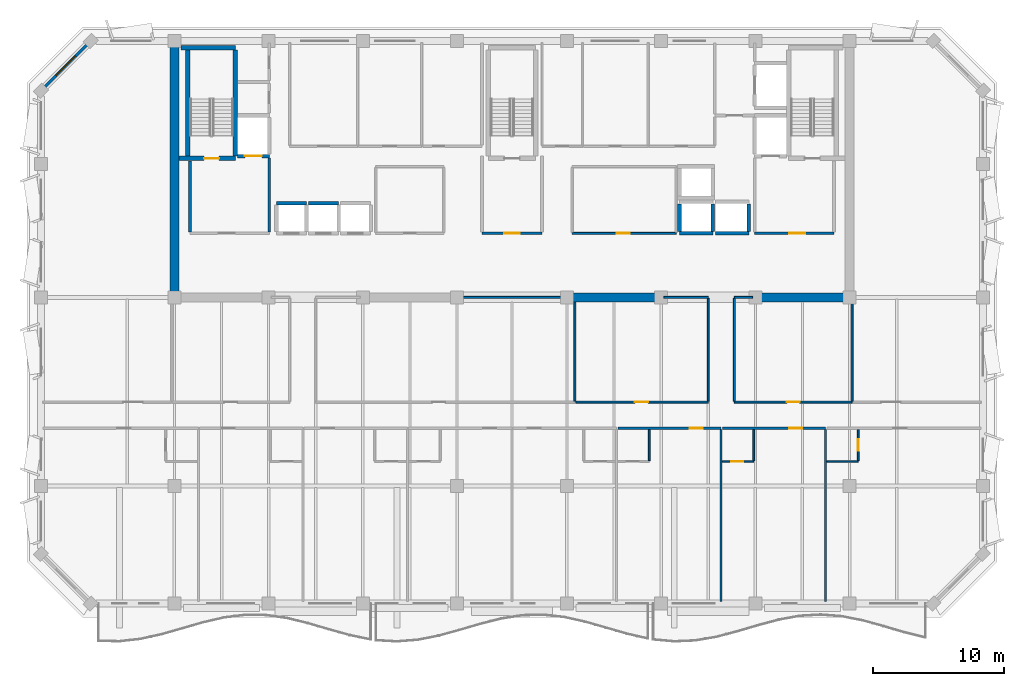
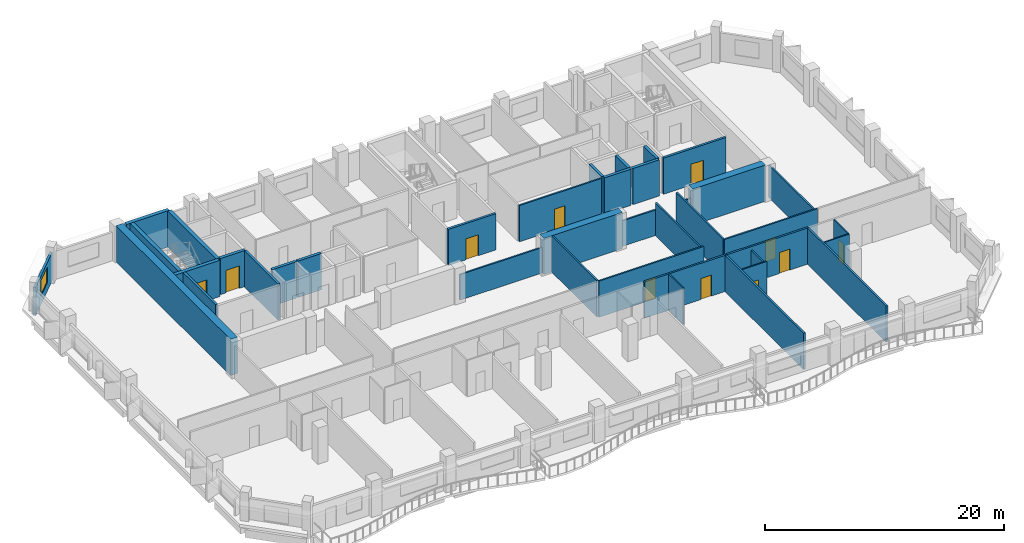
# One storey, part 5 of 11: 39 walls, 11 doors, 1 window, 12 openings.
"""IFC4 building model written with IfcOpenShell, lengths in metres."""

from ifc_helpers import new_model, si_unit, direction, frame, frame_2d, origin, place, context, subcontext, project, spatial, rectangle, extrude, material, layer, layer_set, type_object, element, fill, save


model = new_model("IFC4")

# Units and contexts
model_context = context("Model", 3, precision=1e-05, world=origin(), true_north=direction((0.0, 1.0)))
body_context = subcontext(model_context, "Body", "Model", "MODEL_VIEW")
ifc_project = project(units=[si_unit("LENGTHUNIT", "METRE"), si_unit("AREAUNIT", "SQUARE_METRE"), si_unit("VOLUMEUNIT", "CUBIC_METRE"), si_unit("PLANEANGLEUNIT", "RADIAN"), si_unit("MASSUNIT", "GRAM", prefix="KILO")], contexts=[model_context])

# Site, building, storey
site_placement = place(None, origin())
site = spatial("IfcSite", under=ifc_project, at=site_placement, CompositionType="ELEMENT")
building_placement = place(site_placement, origin())
building = spatial("IfcBuilding", under=site, at=building_placement, Name="Kaelvorn Grand Hotel", CompositionType="ELEMENT")
storey_placement = place(building_placement, frame((0.0, 0.0, 248.89990234375)))
storey = spatial("IfcBuildingStorey", under=building, at=storey_placement, Name="L61", CompositionType="ELEMENT", Elevation=248.89990234375)

# Walls
ifc_material_1 = material(Name="Concrete C50/60", Category="concrete")
ifc_layer_1 = layer(ifc_material_1, 0.699951171875)
ifc_layer_set_1 = layer_set([ifc_layer_1], Name="Concrete C50/60")
wall_type_1 = type_object("IfcWallType", Name="WL-CORE-700-C50", PredefinedType="SHEAR", material=ifc_layer_set_1)
wall_1_placement = place(storey_placement, frame((16.199951171875, 29.39990234375, 0.0), z_axis=(0.0, 0.0, 1.0), x_axis=(0.0, 1.0, 0.0)))
element("IfcWall", 1, at=wall_1_placement, inside=storey, type_object=wall_type_1, Name="L61 Rear-Core West Shear Wall", PredefinedType="SHEAR", context=body_context, shape_type="SweptSolid", body=[
    extrude(rectangle(XDim=19.2001953125, YDim=0.699951171875, at=frame_2d((9.60009765625, 0.0))), origin(), (0.0, 0.0, 1.0), 3.710205078125),
])
wall_2_placement = place(storey_placement, frame((46.0, 29.39990234375, 0.0), z_axis=(0.0, 0.0, 1.0), x_axis=(1.0, 0.0, 0.0)))
element("IfcWall", 2, at=wall_2_placement, inside=storey, type_object=wall_type_1, Name="L61 Rear-Core Coupled Shear Pier S3", PredefinedType="SHEAR", context=body_context, shape_type="SweptSolid", body=[
    extrude(rectangle(XDim=7.60009765625, YDim=0.699951171875, at=frame_2d((3.800048828125, 0.0))), origin(), (0.0, 0.0, 1.0), 3.710205078125),
])
wall_3_placement = place(storey_placement, frame((60.39990234375, 29.39990234375, 0.0), z_axis=(0.0, 0.0, 1.0), x_axis=(1.0, 0.0, 0.0)))
element("IfcWall", 3, at=wall_3_placement, inside=storey, type_object=wall_type_1, Name="L61 Rear-Core Coupled Shear Pier S4", PredefinedType="SHEAR", context=body_context, shape_type="SweptSolid", body=[
    extrude(rectangle(XDim=7.045166015625, YDim=0.699951171875, at=frame_2d((3.5224609375, 0.0))), origin(), (0.0, 0.0, 1.0), 3.710205078125),
])

# Wall, opening, window
ifc_material_2 = material(Name="Concrete C40/50", Category="concrete")
ifc_layer_2 = layer(ifc_material_2, 0.219970703125)
ifc_layer_set_2 = layer_set([ifc_layer_2], Name="Concrete C40/50")
wall_type_2 = type_object("IfcWallType", Name="WL-EXT-220-C40", PredefinedType="SOLIDWALL", material=ifc_layer_set_2)
wall_4_placement = place(storey_placement, frame((9.800048828125, 49.0, 0.0), z_axis=(0.0, 0.0, 1.0), x_axis=(-0.707106781187, -0.707106781187, 0.0)))
wall_4 = element("IfcWall", 4, at=wall_4_placement, inside=storey, type_object=wall_type_2, Name="L61 Exterior Architectural Concrete Wall 06", PredefinedType="SOLIDWALL", context=body_context, shape_type="SweptSolid", body=[
    extrude(rectangle(XDim=5.3740234375, YDim=0.219970703125, at=frame_2d((2.68701171875, 0.0))), origin(), (0.0, 0.0, 1.0), 2.91015625),
])
opening_1_placement = place(wall_4_placement, frame((1.636962890625, 0.0, 0.85009765625)))
opening_1 = element("IfcOpeningElement", 5, at=opening_1_placement, cuts=wall_4, Name="Opening W7", PredefinedType="OPENING", context=body_context, shape_type="SweptSolid", body=[
    extrude(rectangle(XDim=2.10009765625, YDim=1.60009765625, at=frame_2d((1.050048828125, 0.800048828125))), frame((0.0, 0.1201171875, 0.0), z_axis=(0.0, -1.0, 0.0), x_axis=(1.0, 0.0, 0.0)), (0.0, 0.0, 1.0), 0.239990234375),
])
ifc_material_3 = material(Name="Laminated Low-E Glass", Category="glass")
window_type = type_object("IfcWindowType", Name="WIN-CHM-2100x1600", PartitioningType="SINGLE_PANEL", PredefinedType="WINDOW", material=ifc_material_3)
window_placement = place(opening_1_placement, origin())
window = element("IfcWindow", 6, at=window_placement, inside=storey, type_object=window_type, Name="L61 Chamfered 45-Degree Corner Window NW", OverallHeight=1.60009765625, OverallWidth=2.10009765625, PartitioningType="SINGLE_PANEL", PredefinedType="WINDOW", context=body_context, shape_type="SweptSolid", body=[
    extrude(rectangle(XDim=2.10009765625, YDim=1.60009765625, at=frame_2d((1.050048828125, 0.800048828125))), frame((0.0, 0.030029296875, 0.0), z_axis=(0.0, -1.0, 0.0), x_axis=(1.0, 0.0, 0.0)), (0.0, 0.0, 1.0), 0.06005859375),
])
fill(opening_1, window)

# Wall
ifc_material_4 = material(Name="Moisture-Resistant Tile & Stud Board")
ifc_layer_3 = layer(ifc_material_4, 0.125)
ifc_layer_set_3 = layer_set([ifc_layer_3], Name="Moisture-Resistant Tile & Stud Board")
wall_type_3 = type_object("IfcWallType", Name="WL-PART-125-WET", PredefinedType="PARTITIONING", material=ifc_layer_set_3)
wall_5_placement = place(storey_placement, frame((52.487548828125, 16.91748046875, 0.0), z_axis=(0.0, 0.0, 1.0), x_axis=(0.0, 1.0, 0.0)))
element("IfcWall", 7, at=wall_5_placement, inside=storey, type_object=wall_type_3, Name="L61 En-suite Bathroom L61-06 E Partition", PredefinedType="PARTITIONING", context=body_context, shape_type="SweptSolid", body=[
    extrude(rectangle(XDim=2.387451171875, YDim=0.125, at=frame_2d((1.19384765625, 0.0))), origin(), (0.0, 0.0, 1.0), 3.710205078125),
])

# Wall, opening, door
wall_6_placement = place(storey_placement, frame((58.070068359375, 16.85009765625, 0.0), z_axis=(0.0, 0.0, 1.0), x_axis=(1.0, 0.0, 0.0)))
wall_6 = element("IfcWall", 8, at=wall_6_placement, inside=storey, type_object=wall_type_3, Name="L61 En-suite Bathroom L61-07 S Partition", PredefinedType="PARTITIONING", context=body_context, shape_type="SweptSolid", body=[
    extrude(rectangle(XDim=2.405029296875, YDim=0.125, at=frame_2d((1.20263671875, 0.0))), origin(), (0.0, 0.0, 1.0), 3.710205078125),
])
opening_2_placement = place(wall_6_placement, frame((0.705078125, 0.0, 0.0)))
opening_2 = element("IfcOpeningElement", 9, at=opening_2_placement, cuts=wall_6, Name="Opening DI4", PredefinedType="OPENING", context=body_context, shape_type="SweptSolid", body=[
    extrude(rectangle(XDim=0.89990234375, YDim=2.10009765625, at=frame_2d((0.449951171875, 1.050048828125))), frame((0.0, 0.072509765625, 0.0), z_axis=(0.0, -1.0, 0.0), x_axis=(1.0, 0.0, 0.0)), (0.0, 0.0, 1.0), 0.14501953125),
])
ifc_material_5 = material(Name="Timber Veneer Leaf", Category="wood")
door_type_1 = type_object("IfcDoorType", Name="DR-INT-BATH-900x2100", OperationType="NOTDEFINED", PredefinedType="DOOR", material=ifc_material_5)
door_1_placement = place(opening_2_placement, origin())
door_1 = element("IfcDoor", 10, at=door_1_placement, inside=storey, type_object=door_type_1, Name="L61 En-suite Bathroom L61-07 Door", OperationType="SINGLE_SWING_LEFT", OverallHeight=2.10009765625, OverallWidth=0.89990234375, PredefinedType="DOOR", context=body_context, shape_type="SweptSolid", body=[
    extrude(rectangle(XDim=0.89990234375, YDim=2.10009765625, at=frame_2d((0.449951171875, 1.050048828125))), frame((0.0, 0.02490234375, 0.0), z_axis=(0.0, -1.0, 0.0), x_axis=(1.0, 0.0, 0.0)), (0.0, 0.0, 1.0), 0.050048828125),
])
fill(opening_2, door_1)

# Walls
wall_7_placement = place(storey_placement, frame((60.47509765625, 16.91748046875, 0.0), z_axis=(0.0, 0.0, 1.0), x_axis=(0.0, 1.0, 0.0)))
element("IfcWall", 11, at=wall_7_placement, inside=storey, type_object=wall_type_3, Name="L61 En-suite Bathroom L61-07 E Partition", PredefinedType="PARTITIONING", context=body_context, shape_type="SweptSolid", body=[
    extrude(rectangle(XDim=2.387451171875, YDim=0.125, at=frame_2d((1.19384765625, 0.0))), origin(), (0.0, 0.0, 1.0), 3.35009765625),
])
wall_8_placement = place(storey_placement, frame((66.0576171875, 16.85009765625, 0.0), z_axis=(0.0, 0.0, 1.0), x_axis=(1.0, 0.0, 0.0)))
element("IfcWall", 12, at=wall_8_placement, inside=storey, type_object=wall_type_3, Name="L61 En-suite Bathroom L61-08 S Partition", PredefinedType="PARTITIONING", context=body_context, shape_type="SweptSolid", body=[
    extrude(rectangle(XDim=2.40478515625, YDim=0.125, at=frame_2d((1.202392578125, 0.0))), origin(), (0.0, 0.0, 1.0), 3.710205078125),
])

# Wall, opening, door
wall_9_placement = place(storey_placement, frame((68.46240234375, 16.91748046875, 0.0), z_axis=(0.0, 0.0, 1.0), x_axis=(0.0, 1.0, 0.0)))
wall_9 = element("IfcWall", 13, at=wall_9_placement, inside=storey, type_object=wall_type_3, Name="L61 En-suite Bathroom L61-08 E Partition", PredefinedType="PARTITIONING", context=body_context, shape_type="SweptSolid", body=[
    extrude(rectangle(XDim=2.387451171875, YDim=0.125, at=frame_2d((1.19384765625, 0.0))), origin(), (0.0, 0.0, 1.0), 3.710205078125),
])
opening_3_placement = place(wall_9_placement, frame((0.757568359375, 0.0, 0.0)))
opening_3 = element("IfcOpeningElement", 14, at=opening_3_placement, cuts=wall_9, Name="Opening DI4", PredefinedType="OPENING", context=body_context, shape_type="SweptSolid", body=[
    extrude(rectangle(XDim=0.89990234375, YDim=2.10009765625, at=frame_2d((0.449951171875, 1.050048828125))), frame((0.0, 0.072509765625, 0.0), z_axis=(0.0, -1.0, 0.0), x_axis=(1.0, 0.0, 0.0)), (0.0, 0.0, 1.0), 0.14501953125),
])
door_2_placement = place(opening_3_placement, origin())
door_2 = element("IfcDoor", 15, at=door_2_placement, inside=storey, type_object=door_type_1, Name="L61 En-suite Bathroom L61-08 Door", OperationType="SINGLE_SWING_LEFT", OverallHeight=2.10009765625, OverallWidth=0.89990234375, PredefinedType="DOOR", context=body_context, shape_type="SweptSolid", body=[
    extrude(rectangle(XDim=0.89990234375, YDim=2.10009765625, at=frame_2d((0.449951171875, 1.050048828125))), frame((0.0, 0.02490234375, 0.0), z_axis=(0.0, -1.0, 0.0), x_axis=(1.0, 0.0, 0.0)), (0.0, 0.0, 1.0), 0.050048828125),
])
fill(opening_3, door_2)

ifc_material_6 = material(Name="Acoustic Gypsum & Stud Partition")
ifc_layer_4 = layer(ifc_material_6, 0.14990234375)
ifc_layer_set_4 = layer_set([ifc_layer_4], Name="Acoustic Gypsum & Stud Partition")
wall_type_4 = type_object("IfcWallType", Name="WL-PART-150-EI60", PredefinedType="PARTITIONING", material=ifc_layer_set_4)
wall_10_placement = place(storey_placement, frame((46.60009765625, 34.300048828125, 0.0), z_axis=(0.0, 0.0, 1.0), x_axis=(1.0, 0.0, 0.0)))
wall_10 = element("IfcWall", 16, at=wall_10_placement, inside=storey, type_object=wall_type_4, Name="L61 Sky Concierge & Butler Pantry Lounge S Partition", PredefinedType="PARTITIONING", context=body_context, shape_type="SweptSolid", body=[
    extrude(rectangle(XDim=7.949951171875, YDim=0.14990234375, at=frame_2d((3.97509765625, 0.0))), origin(), (0.0, 0.0, 1.0), 3.710205078125),
])
opening_4_placement = place(wall_10_placement, frame((3.39990234375, 0.0, 0.0)))
opening_4 = element("IfcOpeningElement", 17, at=opening_4_placement, cuts=wall_10, Name="Opening DI3", PredefinedType="OPENING", context=body_context, shape_type="SweptSolid", body=[
    extrude(rectangle(XDim=1.0, YDim=2.14990234375, at=frame_2d((0.5, 1.074951171875))), frame((0.0, 0.0849609375, 0.0), z_axis=(0.0, -1.0, 0.0), x_axis=(1.0, 0.0, 0.0)), (0.0, 0.0, 1.0), 0.169921875),
])
ifc_material_7 = material(Name="Timber Veneer Fire Leaf", Category="wood")
door_type_2 = type_object("IfcDoorType", Name="DR-INT-GUEST-1000x2150", OperationType="NOTDEFINED", PredefinedType="DOOR", material=ifc_material_7)
door_3_placement = place(opening_4_placement, origin())
door_3 = element("IfcDoor", 18, at=door_3_placement, inside=storey, type_object=door_type_2, Name="L61 Sky Concierge & Butler Pantry Lounge Door", OperationType="SINGLE_SWING_LEFT", OverallHeight=2.14990234375, OverallWidth=1.0, PredefinedType="DOOR", context=body_context, shape_type="SweptSolid", body=[
    extrude(rectangle(XDim=1.0, YDim=2.14990234375, at=frame_2d((0.5, 1.074951171875))), frame((0.0, 0.02490234375, 0.0), z_axis=(0.0, -1.0, 0.0), x_axis=(1.0, 0.0, 0.0)), (0.0, 0.0, 1.0), 0.050048828125),
])
fill(opening_4, door_3)

# Walls
wall_11_placement = place(storey_placement, frame((38.010009765625, 29.39990234375, 0.0), z_axis=(0.0, 0.0, 1.0), x_axis=(1.0, 0.0, 0.0)))
element("IfcWall", 19, at=wall_11_placement, inside=storey, type_object=wall_type_4, Name="L61 Hospitality Tea Kitchen N Partition (2)", PredefinedType="PARTITIONING", context=body_context, shape_type="SweptSolid", body=[
    extrude(rectangle(XDim=7.97998046875, YDim=0.14990234375, at=frame_2d((3.989990234375, 0.0))), origin(), (0.0, 0.0, 1.0), 2.610107421875),
])
wall_12_placement = place(storey_placement, frame((46.800048828125, 21.47998046875, 0.0), z_axis=(0.0, 0.0, 1.0), x_axis=(0.0, 1.0, 0.0)))
element("IfcWall", 20, at=wall_12_placement, inside=storey, type_object=wall_type_4, Name="L61 Hospitality Tea Kitchen E Partition", PredefinedType="PARTITIONING", context=body_context, shape_type="SweptSolid", body=[
    extrude(rectangle(XDim=7.56494140625, YDim=0.14990234375, at=frame_2d((3.782470703125, 0.0))), origin(), (0.0, 0.0, 1.0), 3.710205078125),
])

# Wall, opening, door
wall_13_placement = place(storey_placement, frame((46.8798828125, 21.39990234375, 0.0), z_axis=(0.0, 0.0, 1.0), x_axis=(1.0, 0.0, 0.0)))
wall_13 = element("IfcWall", 21, at=wall_13_placement, inside=storey, type_object=wall_type_4, Name="L61 Executive Study Office S Partition", PredefinedType="PARTITIONING", context=body_context, shape_type="SweptSolid", body=[
    extrude(rectangle(XDim=10.1201171875, YDim=0.14990234375, at=frame_2d((5.06005859375, 0.0))), origin(), (0.0, 0.0, 1.0), 3.710205078125),
])
opening_5_placement = place(wall_13_placement, frame((4.52001953125, 0.0, 0.0)))
opening_5 = element("IfcOpeningElement", 22, at=opening_5_placement, cuts=wall_13, Name="Opening DI3", PredefinedType="OPENING", context=body_context, shape_type="SweptSolid", body=[
    extrude(rectangle(XDim=1.0, YDim=2.14990234375, at=frame_2d((0.5, 1.074951171875))), frame((0.0, 0.0849609375, 0.0), z_axis=(0.0, -1.0, 0.0), x_axis=(1.0, 0.0, 0.0)), (0.0, 0.0, 1.0), 0.169921875),
])
door_4_placement = place(opening_5_placement, origin())
door_4 = element("IfcDoor", 23, at=door_4_placement, inside=storey, type_object=door_type_2, Name="L61 Executive Study Office Door", OperationType="SINGLE_SWING_RIGHT", OverallHeight=2.14990234375, OverallWidth=1.0, PredefinedType="DOOR", context=body_context, shape_type="SweptSolid", body=[
    extrude(rectangle(XDim=1.0, YDim=2.14990234375, at=frame_2d((0.5, 1.074951171875))), frame((0.0, 0.02490234375, 0.0), z_axis=(0.0, -1.0, 0.0), x_axis=(1.0, 0.0, 0.0)), (0.0, 0.0, 1.0), 0.050048828125),
])
fill(opening_5, door_4)

# Walls
wall_14_placement = place(storey_placement, frame((53.610107421875, 29.39990234375, 0.0), z_axis=(0.0, 0.0, 1.0), x_axis=(1.0, 0.0, 0.0)))
element("IfcWall", 24, at=wall_14_placement, inside=storey, type_object=wall_type_4, Name="L61 Executive Study Office N Partition", PredefinedType="PARTITIONING", context=body_context, shape_type="SweptSolid", body=[
    extrude(rectangle(XDim=3.389892578125, YDim=0.14990234375, at=frame_2d((1.69482421875, 0.0))), origin(), (0.0, 0.0, 1.0), 2.610107421875),
])
wall_15_placement = place(storey_placement, frame((57.0, 21.47998046875, 0.0), z_axis=(0.0, 0.0, 1.0), x_axis=(0.0, 1.0, 0.0)))
element("IfcWall", 25, at=wall_15_placement, inside=storey, type_object=wall_type_4, Name="L61 Executive Study Office E Partition", PredefinedType="PARTITIONING", context=body_context, shape_type="SweptSolid", body=[
    extrude(rectangle(XDim=7.840087890625, YDim=0.14990234375, at=frame_2d((3.919921875, 0.0))), origin(), (0.0, 0.0, 1.0), 3.35009765625),
])

# Wall, opening, door
wall_16_placement = place(storey_placement, frame((59.0, 21.39990234375, 0.0), z_axis=(0.0, 0.0, 1.0), x_axis=(1.0, 0.0, 0.0)))
wall_16 = element("IfcWall", 26, at=wall_16_placement, inside=storey, type_object=wall_type_4, Name="L61 Wellness Fitness Gym S Partition", PredefinedType="PARTITIONING", context=body_context, shape_type="SweptSolid", body=[
    extrude(rectangle(XDim=9.0, YDim=0.14990234375, at=frame_2d((4.5, 0.0))), origin(), (0.0, 0.0, 1.0), 3.710205078125),
])
opening_6_placement = place(wall_16_placement, frame((4.0, 0.0, 0.0)))
opening_6 = element("IfcOpeningElement", 27, at=opening_6_placement, cuts=wall_16, Name="Opening DI3", PredefinedType="OPENING", context=body_context, shape_type="SweptSolid", body=[
    extrude(rectangle(XDim=1.0, YDim=2.14990234375, at=frame_2d((0.5, 1.074951171875))), frame((0.0, 0.0849609375, 0.0), z_axis=(0.0, -1.0, 0.0), x_axis=(1.0, 0.0, 0.0)), (0.0, 0.0, 1.0), 0.169921875),
])
door_5_placement = place(opening_6_placement, origin())
door_5 = element("IfcDoor", 28, at=door_5_placement, inside=storey, type_object=door_type_2, Name="L61 Wellness Fitness Gym Door", OperationType="SINGLE_SWING_LEFT", OverallHeight=2.14990234375, OverallWidth=1.0, PredefinedType="DOOR", context=body_context, shape_type="SweptSolid", body=[
    extrude(rectangle(XDim=1.0, YDim=2.14990234375, at=frame_2d((0.5, 1.074951171875))), frame((0.0, 0.02490234375, 0.0), z_axis=(0.0, -1.0, 0.0), x_axis=(1.0, 0.0, 0.0)), (0.0, 0.0, 1.0), 0.050048828125),
])
fill(opening_6, door_5)

# Walls
wall_17_placement = place(storey_placement, frame((59.0, 29.39990234375, 0.0), z_axis=(0.0, 0.0, 1.0), x_axis=(1.0, 0.0, 0.0)))
element("IfcWall", 29, at=wall_17_placement, inside=storey, type_object=wall_type_4, Name="L61 Wellness Fitness Gym N Partition", PredefinedType="PARTITIONING", context=body_context, shape_type="SweptSolid", body=[
    extrude(rectangle(XDim=1.389892578125, YDim=0.14990234375, at=frame_2d((0.69482421875, 0.0))), origin(), (0.0, 0.0, 1.0), 2.610107421875),
])
wall_18_placement = place(storey_placement, frame((59.0, 21.47998046875, 0.0), z_axis=(0.0, 0.0, 1.0), x_axis=(0.0, 1.0, 0.0)))
element("IfcWall", 30, at=wall_18_placement, inside=storey, type_object=wall_type_4, Name="L61 Wellness Fitness Gym W Partition", PredefinedType="PARTITIONING", context=body_context, shape_type="SweptSolid", body=[
    extrude(rectangle(XDim=7.840087890625, YDim=0.14990234375, at=frame_2d((3.919921875, 0.0))), origin(), (0.0, 0.0, 1.0), 3.710205078125),
])
wall_19_placement = place(storey_placement, frame((68.0, 21.47998046875, 0.0), z_axis=(0.0, 0.0, 1.0), x_axis=(0.0, 1.0, 0.0)))
element("IfcWall", 31, at=wall_19_placement, inside=storey, type_object=wall_type_4, Name="L61 Wellness Fitness Gym E Partition", PredefinedType="PARTITIONING", context=body_context, shape_type="SweptSolid", body=[
    extrude(rectangle(XDim=7.909912109375, YDim=0.14990234375, at=frame_2d((3.955078125, 0.0))), origin(), (0.0, 0.0, 1.0), 3.35009765625),
])

# Wall, opening, door
ifc_layer_5 = layer(ifc_material_6, 0.179931640625)
ifc_layer_set_5 = layer_set([ifc_layer_5], Name="Acoustic Gypsum & Stud Partition")
wall_type_5 = type_object("IfcWallType", Name="WL-PART-180-EI60", PredefinedType="PARTITIONING", material=ifc_layer_set_5)
wall_20_placement = place(storey_placement, frame((50.08251953125, 19.39990234375, 0.0), z_axis=(0.0, 0.0, 1.0), x_axis=(1.0, 0.0, 0.0)))
wall_20 = element("IfcWall", 32, at=wall_20_placement, inside=storey, type_object=wall_type_5, Name="L61 Ambassador Junior Suite L61-06 N Partition", PredefinedType="PARTITIONING", context=body_context, shape_type="SweptSolid", body=[
    extrude(rectangle(XDim=7.892578125, YDim=0.179931640625, at=frame_2d((3.9462890625, 0.0))), origin(), (0.0, 0.0, 1.0), 3.710205078125),
])
opening_7_placement = place(wall_20_placement, frame((5.4951171875, 0.0, 0.0)))
opening_7 = element("IfcOpeningElement", 33, at=opening_7_placement, cuts=wall_20, Name="Opening DI3", PredefinedType="OPENING", context=body_context, shape_type="SweptSolid", body=[
    extrude(rectangle(XDim=1.0, YDim=2.14990234375, at=frame_2d((0.5, 1.074951171875))), frame((0.0, 0.10009765625, 0.0), z_axis=(0.0, -1.0, 0.0), x_axis=(1.0, 0.0, 0.0)), (0.0, 0.0, 1.0), 0.199951171875),
])
door_6_placement = place(opening_7_placement, origin())
door_6 = element("IfcDoor", 34, at=door_6_placement, inside=storey, type_object=door_type_2, Name="L61 Ambassador Junior Suite L61-06 Door", OperationType="SINGLE_SWING_RIGHT", OverallHeight=2.14990234375, OverallWidth=1.0, PredefinedType="DOOR", context=body_context, shape_type="SweptSolid", body=[
    extrude(rectangle(XDim=1.0, YDim=2.14990234375, at=frame_2d((0.5, 1.074951171875))), frame((0.0, 0.02490234375, 0.0), z_axis=(0.0, -1.0, 0.0), x_axis=(1.0, 0.0, 0.0)), (0.0, 0.0, 1.0), 0.050048828125),
])
fill(opening_7, door_6)

# Wall
wall_21_placement = place(storey_placement, frame((57.97509765625, 6.14990234375, 0.0), z_axis=(0.0, 0.0, 1.0), x_axis=(0.0, 1.0, 0.0)))
element("IfcWall", 35, at=wall_21_placement, inside=storey, type_object=wall_type_5, Name="L61 Ambassador Junior Suite L61-06 E Partition", PredefinedType="PARTITIONING", context=body_context, shape_type="SweptSolid", body=[
    extrude(rectangle(XDim=13.155029296875, YDim=0.179931640625, at=frame_2d((6.57763671875, 0.0))), origin(), (0.0, 0.0, 1.0), 3.710205078125),
])

# Wall, opening, door
wall_22_placement = place(storey_placement, frame((58.070068359375, 19.39990234375, 0.0), z_axis=(0.0, 0.0, 1.0), x_axis=(1.0, 0.0, 0.0)))
wall_22 = element("IfcWall", 36, at=wall_22_placement, inside=storey, type_object=wall_type_5, Name="L61 Ambassador Sky Suite L61-07 N Partition", PredefinedType="PARTITIONING", context=body_context, shape_type="SweptSolid", body=[
    extrude(rectangle(XDim=7.892333984375, YDim=0.179931640625, at=frame_2d((3.9462890625, 0.0))), origin(), (0.0, 0.0, 1.0), 3.710205078125),
])
opening_8_placement = place(wall_22_placement, frame((5.101318359375, 0.0, 0.0)))
opening_8 = element("IfcOpeningElement", 37, at=opening_8_placement, cuts=wall_22, Name="Opening DI3", PredefinedType="OPENING", context=body_context, shape_type="SweptSolid", body=[
    extrude(rectangle(XDim=1.0, YDim=2.14990234375, at=frame_2d((0.5, 1.074951171875))), frame((0.0, 0.10009765625, 0.0), z_axis=(0.0, -1.0, 0.0), x_axis=(1.0, 0.0, 0.0)), (0.0, 0.0, 1.0), 0.199951171875),
])
door_7_placement = place(opening_8_placement, origin())
door_7 = element("IfcDoor", 38, at=door_7_placement, inside=storey, type_object=door_type_2, Name="L61 Ambassador Sky Suite L61-07 Door", OperationType="SINGLE_SWING_RIGHT", OverallHeight=2.14990234375, OverallWidth=1.0, PredefinedType="DOOR", context=body_context, shape_type="SweptSolid", body=[
    extrude(rectangle(XDim=1.0, YDim=2.14990234375, at=frame_2d((0.5, 1.074951171875))), frame((0.0, 0.02490234375, 0.0), z_axis=(0.0, -1.0, 0.0), x_axis=(1.0, 0.0, 0.0)), (0.0, 0.0, 1.0), 0.050048828125),
])
fill(opening_8, door_7)

# Walls
wall_23_placement = place(storey_placement, frame((65.96240234375, 6.14990234375, 0.0), z_axis=(0.0, 0.0, 1.0), x_axis=(0.0, 1.0, 0.0)))
element("IfcWall", 39, at=wall_23_placement, inside=storey, type_object=wall_type_5, Name="L61 Ambassador Sky Suite L61-07 E Partition", PredefinedType="PARTITIONING", context=body_context, shape_type="SweptSolid", body=[
    extrude(rectangle(XDim=13.155029296875, YDim=0.179931640625, at=frame_2d((6.57763671875, 0.0))), origin(), (0.0, 0.0, 1.0), 3.710205078125),
])
ifc_layer_6 = layer(ifc_material_2, 0.219970703125)
ifc_layer_set_6 = layer_set([ifc_layer_6], Name="Concrete C40/50")
wall_type_6 = type_object("IfcWallType", Name="WL-PART-220-EI120", PredefinedType="PARTITIONING", material=ifc_layer_set_6)
wall_24_placement = place(storey_placement, frame((17.39990234375, 34.4150390625, 0.0), z_axis=(0.0, 0.0, 1.0), x_axis=(0.0, 1.0, 0.0)))
element("IfcWall", 40, at=wall_24_placement, inside=storey, type_object=wall_type_6, Name="L61 Firefighting Lift Lobby 1 W Partition", PredefinedType="PARTITIONING", context=body_context, shape_type="SweptSolid", body=[
    extrude(rectangle(XDim=5.429931640625, YDim=0.219970703125, at=frame_2d((2.71484375, 0.0))), origin(), (0.0, 0.0, 1.0), 3.710205078125),
])
wall_25_placement = place(storey_placement, frame((23.449951171875, 34.4150390625, 0.0), z_axis=(0.0, 0.0, 1.0), x_axis=(0.0, 1.0, 0.0)))
element("IfcWall", 41, at=wall_25_placement, inside=storey, type_object=wall_type_6, Name="L61 Firefighting Lift Lobby 1 E Partition", PredefinedType="PARTITIONING", context=body_context, shape_type="SweptSolid", body=[
    extrude(rectangle(XDim=5.639892578125, YDim=0.219970703125, at=frame_2d((2.81982421875, 0.0))), origin(), (0.0, 0.0, 1.0), 3.710205078125),
])

# Wall, opening, door
wall_26_placement = place(storey_placement, frame((60.550048828125, 34.300048828125, 0.0), z_axis=(0.0, 0.0, 1.0), x_axis=(1.0, 0.0, 0.0)))
wall_26 = element("IfcWall", 42, at=wall_26_placement, inside=storey, type_object=wall_type_6, Name="L61 Firefighting Lift Lobby 2 S Partition", PredefinedType="PARTITIONING", context=body_context, shape_type="SweptSolid", body=[
    extrude(rectangle(XDim=6.050048828125, YDim=0.219970703125, at=frame_2d((3.02490234375, 0.0))), origin(), (0.0, 0.0, 1.0), 3.710205078125),
])
opening_9_placement = place(wall_26_placement, frame((2.64990234375, 0.0, 0.0)))
opening_9 = element("IfcOpeningElement", 43, at=opening_9_placement, cuts=wall_26, Name="Opening DI2", PredefinedType="OPENING", context=body_context, shape_type="SweptSolid", body=[
    extrude(rectangle(XDim=1.199951171875, YDim=2.14990234375, at=frame_2d((0.60009765625, 1.074951171875))), frame((0.0, 0.1201171875, 0.0), z_axis=(0.0, -1.0, 0.0), x_axis=(1.0, 0.0, 0.0)), (0.0, 0.0, 1.0), 0.239990234375),
])
door_type_3 = type_object("IfcDoorType", Name="DR-INT-FFLOB-1200x2150", OperationType="NOTDEFINED", PredefinedType="DOOR", material=ifc_material_7)
door_8_placement = place(opening_9_placement, origin())
door_8 = element("IfcDoor", 44, at=door_8_placement, inside=storey, type_object=door_type_3, Name="L61 Firefighting Lift Lobby 2 Door", OperationType="SINGLE_SWING_LEFT", OverallHeight=2.14990234375, OverallWidth=1.199951171875, PredefinedType="DOOR", context=body_context, shape_type="SweptSolid", body=[
    extrude(rectangle(XDim=1.199951171875, YDim=2.14990234375, at=frame_2d((0.60009765625, 1.074951171875))), frame((0.0, 0.02490234375, 0.0), z_axis=(0.0, -1.0, 0.0), x_axis=(1.0, 0.0, 0.0)), (0.0, 0.0, 1.0), 0.050048828125),
])
fill(opening_9, door_8)

wall_27_placement = place(storey_placement, frame((39.699951171875, 34.300048828125, 0.0), z_axis=(0.0, 0.0, 1.0), x_axis=(1.0, 0.0, 0.0)))
wall_27 = element("IfcWall", 45, at=wall_27_placement, inside=storey, type_object=wall_type_6, Name="L61 Central Stair Escape Vestibule S Partition", PredefinedType="PARTITIONING", context=body_context, shape_type="SweptSolid", body=[
    extrude(rectangle(XDim=4.60009765625, YDim=0.219970703125, at=frame_2d((2.300048828125, 0.0))), origin(), (0.0, 0.0, 1.0), 3.710205078125),
])
opening_10_placement = place(wall_27_placement, frame((1.699951171875, 0.0, 0.0)))
opening_10 = element("IfcOpeningElement", 46, at=opening_10_placement, cuts=wall_27, Name="Opening DI2", PredefinedType="OPENING", context=body_context, shape_type="SweptSolid", body=[
    extrude(rectangle(XDim=1.199951171875, YDim=2.14990234375, at=frame_2d((0.60009765625, 1.074951171875))), frame((0.0, 0.1201171875, 0.0), z_axis=(0.0, -1.0, 0.0), x_axis=(1.0, 0.0, 0.0)), (0.0, 0.0, 1.0), 0.239990234375),
])
door_9_placement = place(opening_10_placement, origin())
door_9 = element("IfcDoor", 47, at=door_9_placement, inside=storey, type_object=door_type_3, Name="L61 Central Stair Escape Vestibule Door", OperationType="SINGLE_SWING_RIGHT", OverallHeight=2.14990234375, OverallWidth=1.199951171875, PredefinedType="DOOR", context=body_context, shape_type="SweptSolid", body=[
    extrude(rectangle(XDim=1.199951171875, YDim=2.14990234375, at=frame_2d((0.60009765625, 1.074951171875))), frame((0.0, 0.02490234375, 0.0), z_axis=(0.0, -1.0, 0.0), x_axis=(1.0, 0.0, 0.0)), (0.0, 0.0, 1.0), 0.050048828125),
])
fill(opening_10, door_9)

# Walls
ifc_layer_7 = layer(ifc_material_1, 0.280029296875)
ifc_layer_set_7 = layer_set([ifc_layer_7], Name="Concrete C50/60")
wall_type_7 = type_object("IfcWallType", Name="WL-SHAFT-280-C50", PredefinedType="SHEAR", material=ifc_layer_set_7)
for number, where, z_axis, x_axis, name in (
    (48, (24.0, 36.60009765625, 0.0), (0.0, 0.0, 1.0), (1.0, 0.0, 0.0), "L61 Lift PL-H1 Shaft North Wall"),
    (49, (26.449951171875, 36.60009765625, 0.0), (0.0, 0.0, 1.0), (1.0, 0.0, 0.0), "L61 Lift PL-H2 Shaft North Wall"),
):
    element("IfcWall", number, at=place(storey_placement, frame(where, z_axis=z_axis, x_axis=x_axis)), inside=storey, type_object=wall_type_7, Name=name, PredefinedType="SHEAR", context=body_context, shape_type="SweptSolid", body=[
        extrude(rectangle(XDim=2.300048828125, YDim=0.280029296875, at=frame_2d((1.14990234375, 0.0))), origin(), (0.0, 0.0, 1.0), 3.710205078125),
    ])
wall_28_placement = place(storey_placement, frame((54.800048828125, 34.300048828125, 0.0), z_axis=(0.0, 0.0, 1.0), x_axis=(1.0, 0.0, 0.0)))
element("IfcWall", 50, at=wall_28_placement, inside=storey, type_object=wall_type_7, Name="L61 Lift OL-1 Shaft South Wall", PredefinedType="SHEAR", context=body_context, shape_type="SweptSolid", body=[
    extrude(rectangle(XDim=2.550048828125, YDim=0.280029296875, at=frame_2d((1.27490234375, 0.0))), origin(), (0.0, 0.0, 1.0), 3.710205078125),
])
for number, where, z_axis, x_axis, name in (
    (51, (54.800048828125, 34.445068359375, 0.0), (0.0, 0.0, 1.0), (0.0, 1.0, 0.0), "L61 Lift OL-1 Shaft West Wall"),
    (52, (57.35009765625, 34.445068359375, 0.0), (0.0, 0.0, 1.0), (0.0, 1.0, 0.0), "L61 Lift OL-1 Shaft East Wall"),
):
    element("IfcWall", number, at=place(storey_placement, frame(where, z_axis=z_axis, x_axis=x_axis)), inside=storey, type_object=wall_type_7, Name=name, PredefinedType="SHEAR", context=body_context, shape_type="SweptSolid", body=[
        extrude(rectangle(XDim=2.10986328125, YDim=0.280029296875, at=frame_2d((1.054931640625, 0.0))), origin(), (0.0, 0.0, 1.0), 3.710205078125),
    ])
wall_29_placement = place(storey_placement, frame((57.550048828125, 34.300048828125, 0.0), z_axis=(0.0, 0.0, 1.0), x_axis=(1.0, 0.0, 0.0)))
element("IfcWall", 53, at=wall_29_placement, inside=storey, type_object=wall_type_7, Name="L61 Lift OL-2 Shaft South Wall", PredefinedType="SHEAR", context=body_context, shape_type="SweptSolid", body=[
    extrude(rectangle(XDim=2.550048828125, YDim=0.280029296875, at=frame_2d((1.27490234375, 0.0))), origin(), (0.0, 0.0, 1.0), 3.710205078125),
])
wall_30_placement = place(storey_placement, frame((60.10009765625, 34.445068359375, 0.0), z_axis=(0.0, 0.0, 1.0), x_axis=(0.0, 1.0, 0.0)))
element("IfcWall", 54, at=wall_30_placement, inside=storey, type_object=wall_type_7, Name="L61 Lift OL-2 Shaft East Wall", PredefinedType="SHEAR", context=body_context, shape_type="SweptSolid", body=[
    extrude(rectangle(XDim=2.10986328125, YDim=0.280029296875, at=frame_2d((1.054931640625, 0.0))), origin(), (0.0, 0.0, 1.0), 3.710205078125),
])

# Wall, opening, door
wall_31_placement = place(storey_placement, frame((21.034912109375, 40.199951171875, 0.0), z_axis=(0.0, 0.0, 1.0), x_axis=(1.0, 0.0, 0.0)))
wall_31 = element("IfcWall", 55, at=wall_31_placement, inside=storey, type_object=wall_type_7, Name="L61 Lift FFL1 Shaft South Wall", PredefinedType="SHEAR", context=body_context, shape_type="SweptSolid", body=[
    extrude(rectangle(XDim=2.4150390625, YDim=0.280029296875, at=frame_2d((1.20751953125, 0.0))), origin(), (0.0, 0.0, 1.0), 3.710205078125),
])
opening_11_placement = place(wall_31_placement, frame((0.5400390625, 0.0, 0.0)))
opening_11 = element("IfcOpeningElement", 56, at=opening_11_placement, cuts=wall_31, Name="Opening LD-FFL1", PredefinedType="OPENING", context=body_context, shape_type="SweptSolid", body=[
    extrude(rectangle(XDim=1.300048828125, YDim=2.300048828125, at=frame_2d((0.64990234375, 1.14990234375))), frame((0.0, 0.14990234375, 0.0), z_axis=(0.0, -1.0, 0.0), x_axis=(1.0, 0.0, 0.0)), (0.0, 0.0, 1.0), 0.300048828125),
])
ifc_material_8 = material(Name="Stainless Steel", Category="steel")
door_type_4 = type_object("IfcDoorType", Name="DR-LIFT-SERV-1300x2300", OperationType="DOUBLE_DOOR_SLIDING", PredefinedType="DOOR", material=ifc_material_8)
door_10_placement = place(opening_11_placement, origin())
door_10 = element("IfcDoor", 57, at=door_10_placement, inside=storey, type_object=door_type_4, Name="L61 Lift FFL1 Sliding Landing Door LD-FFL1", OperationType="DOUBLE_DOOR_SLIDING", OverallHeight=2.300048828125, OverallWidth=1.300048828125, PredefinedType="DOOR", context=body_context, shape_type="SweptSolid", body=[
    extrude(rectangle(XDim=1.300048828125, YDim=2.300048828125, at=frame_2d((0.64990234375, 1.14990234375))), frame((0.0, 0.02490234375, 0.0), z_axis=(0.0, -1.0, 0.0), x_axis=(1.0, 0.0, 0.0)), (0.0, 0.0, 1.0), 0.050048828125),
])
fill(opening_11, door_10)

ifc_material_9 = material(Name="Concrete C60/75", Category="concrete")
ifc_layer_8 = layer(ifc_material_9, 0.35009765625)
ifc_layer_set_8 = layer_set([ifc_layer_8], Name="Concrete C60/75")
wall_type_8 = type_object("IfcWallType", Name="WL-SHAFT-350-C60", PredefinedType="SHEAR", material=ifc_layer_set_8)
wall_32_placement = place(storey_placement, frame((16.554931640625, 40.02490234375, 0.0), z_axis=(0.0, 0.0, 1.0), x_axis=(1.0, 0.0, 0.0)))
wall_32 = element("IfcWall", 58, at=wall_32_placement, inside=storey, type_object=wall_type_8, Name="L61 ST1 Stair Shaft South Wall", PredefinedType="SHEAR", context=body_context, shape_type="SweptSolid", body=[
    extrude(rectangle(XDim=4.300048828125, YDim=0.35009765625, at=frame_2d((2.14990234375, 0.0))), origin(), (0.0, 0.0, 1.0), 3.710205078125),
])
opening_12_placement = place(wall_32_placement, frame((1.909912109375, 0.0, 0.0)))
opening_12 = element("IfcOpeningElement", 59, at=opening_12_placement, cuts=wall_32, Name="Opening DI1", PredefinedType="OPENING", context=body_context, shape_type="SweptSolid", body=[
    extrude(rectangle(XDim=1.14990234375, YDim=2.14990234375, at=frame_2d((0.574951171875, 1.074951171875))), frame((0.0, 0.18505859375, 0.0), z_axis=(0.0, -1.0, 0.0), x_axis=(1.0, 0.0, 0.0)), (0.0, 0.0, 1.0), 0.3701171875),
])
door_type_5 = type_object("IfcDoorType", Name="DR-INT-STAIR-1150x2150", OperationType="NOTDEFINED", PredefinedType="DOOR", material=ifc_material_7)
door_11_placement = place(opening_12_placement, origin())
door_11 = element("IfcDoor", 60, at=door_11_placement, inside=storey, type_object=door_type_5, Name="L61 ST1 Exit Stair Fire Door", OperationType="SINGLE_SWING_LEFT", OverallHeight=2.14990234375, OverallWidth=1.14990234375, PredefinedType="DOOR", context=body_context, shape_type="SweptSolid", body=[
    extrude(rectangle(XDim=1.14990234375, YDim=2.14990234375, at=frame_2d((0.574951171875, 1.074951171875))), frame((0.0, 0.02490234375, 0.0), z_axis=(0.0, -1.0, 0.0), x_axis=(1.0, 0.0, 0.0)), (0.0, 0.0, 1.0), 0.050048828125),
])
fill(opening_12, door_11)

# Walls
wall_33_placement = place(storey_placement, frame((16.705078125, 48.47509765625, 0.0), z_axis=(0.0, 0.0, 1.0), x_axis=(1.0, 0.0, 0.0)))
element("IfcWall", 61, at=wall_33_placement, inside=storey, type_object=wall_type_8, Name="L61 ST1 Stair Shaft North Wall", PredefinedType="SHEAR", context=body_context, shape_type="SweptSolid", body=[
    extrude(rectangle(XDim=4.14990234375, YDim=0.35009765625, at=frame_2d((2.074951171875, 0.0))), origin(), (0.0, 0.0, 1.0), 3.710205078125),
])
for number, where, z_axis, x_axis, name in (
    (62, (17.22509765625, 40.205078125, 0.0), (0.0, 0.0, 1.0), (0.0, 1.0, 0.0), "L61 ST1 Stair Shaft West Wall"),
    (63, (20.85498046875, 40.205078125, 0.0), (0.0, 0.0, 1.0), (0.0, 1.0, 0.0), "L61 ST1 Stair Shaft East Wall"),
):
    element("IfcWall", number, at=place(storey_placement, frame(where, z_axis=z_axis, x_axis=x_axis)), inside=storey, type_object=wall_type_8, Name=name, PredefinedType="SHEAR", context=body_context, shape_type="SweptSolid", body=[
        extrude(rectangle(XDim=8.08984375, YDim=0.35009765625, at=frame_2d((4.044921875, 0.0))), origin(), (0.0, 0.0, 1.0), 3.710205078125),
    ])

save(model, "model.ifc")
